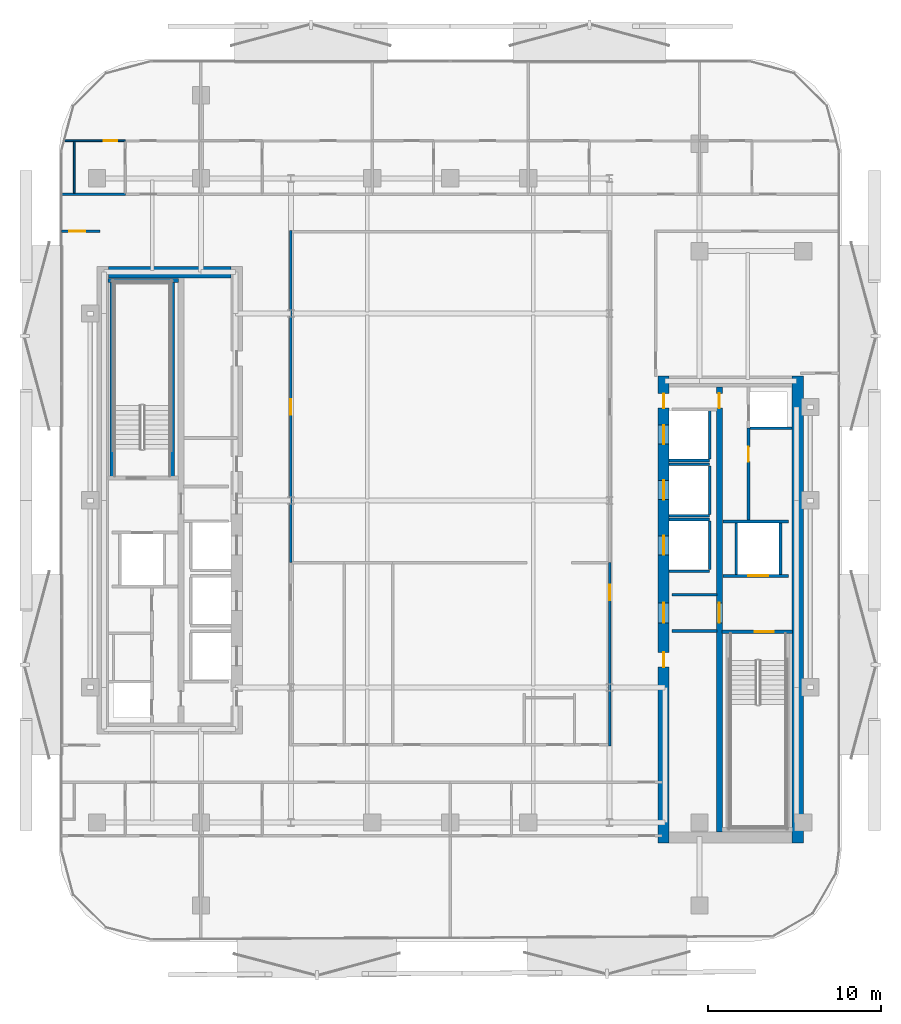
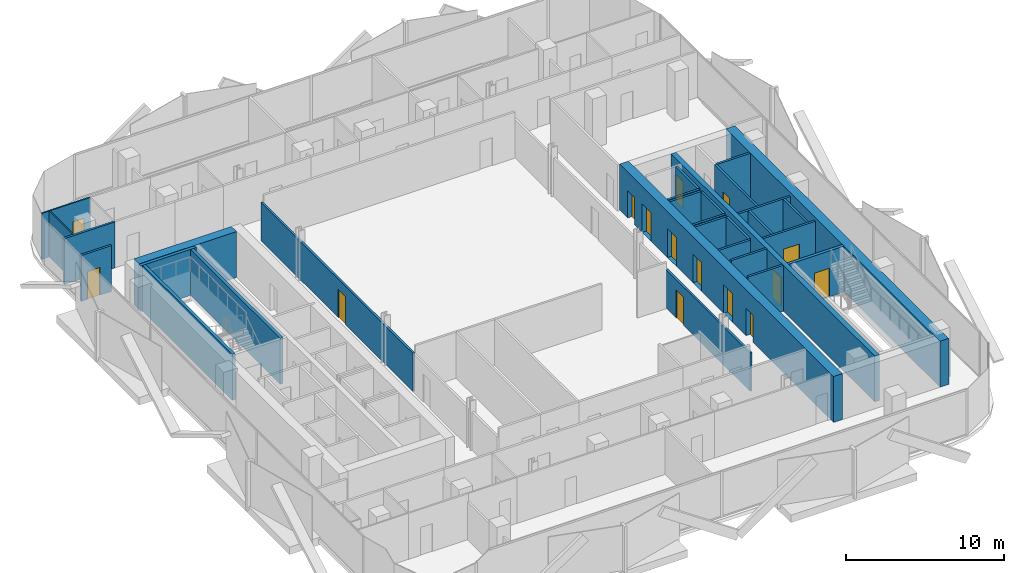
# One storey, part 5 of 17: 30 walls, 15 doors, 15 openings.
"""IFC4 building model written with IfcOpenShell, lengths in metres."""

from ifc_helpers import new_model, si_unit, direction, frame, frame_2d, origin, place, context, subcontext, project, spatial, rectangle, extrude, material, layer, layer_set, type_object, element, fill, save


model = new_model("IFC4")

# Units and contexts
model_context = context("Model", 3, precision=1e-05, world=origin(), true_north=direction((0.0, 1.0)))
body_context = subcontext(model_context, "Body", "Model", "MODEL_VIEW")
ifc_project = project(units=[si_unit("LENGTHUNIT", "METRE"), si_unit("AREAUNIT", "SQUARE_METRE"), si_unit("VOLUMEUNIT", "CUBIC_METRE"), si_unit("PLANEANGLEUNIT", "RADIAN"), si_unit("MASSUNIT", "GRAM", prefix="KILO")], contexts=[model_context])

# Site, building, storey
site_placement = place(None, origin())
site = spatial("IfcSite", under=ifc_project, at=site_placement, CompositionType="ELEMENT")
building_placement = place(site_placement, origin())
building = spatial("IfcBuilding", under=site, at=building_placement, Name="Khairoan Windgate Tower", CompositionType="ELEMENT")
storey_placement = place(building_placement, frame((0.0, 0.0, 172.60009765625)))
storey = spatial("IfcBuildingStorey", under=building, at=storey_placement, Name="L39", CompositionType="ELEMENT", Elevation=172.60009765625)

# Wall, opening, door
ifc_material_1 = material(Name="Moisture-Resistant Gypsum Partition", Category="gypsum")
ifc_layer_1 = layer(ifc_material_1, 0.10009765625, Name="Moisture-Resistant Gypsum Partition")
ifc_layer_set_1 = layer_set([ifc_layer_1], Name="Moisture-Resistant Gypsum Partition")
wall_type_1 = type_object("IfcWallType", Name="Bathroom Wet-Area Partition Wall", PredefinedType="PARTITIONING", material=ifc_layer_set_1)
wall_1_placement = place(storey_placement, frame((-22.300048828125, 20.77001953125, 0.0), z_axis=(0.0, 0.0, 1.0), x_axis=(1.0, 0.0, 0.0)))
wall_1 = element("IfcWall", 1, at=wall_1_placement, inside=storey, type_object=wall_type_1, Name="L39 Interior Partition 049", PredefinedType="PARTITIONING", context=body_context, shape_type="SweptSolid", body=[
    extrude(rectangle(XDim=3.5361328125, YDim=0.10009765625, at=frame_2d((1.76806640625, 0.0))), origin(), (0.0, 0.0, 1.0), 3.539794921875),
])
opening_1_placement = place(wall_1_placement, frame((2.276123046875, 0.0, 0.0)))
opening_1 = element("IfcOpeningElement", 2, at=opening_1_placement, cuts=wall_1, Name="Opening ID-BTH", PredefinedType="OPENING", context=body_context, shape_type="SweptSolid", body=[
    extrude(rectangle(XDim=0.800048828125, YDim=2.10009765625, at=frame_2d((0.39990234375, 1.050048828125))), frame((0.0, 0.06005859375, 0.0), z_axis=(0.0, -1.0, 0.0), x_axis=(1.0, 0.0, 0.0)), (0.0, 0.0, 1.0), 0.1201171875),
])
ifc_material_2 = material(Name="Teak Veneer Timber Leaf", Category="wood")
door_type_1 = type_object("IfcDoorType", Name="Internal Bathroom Door ID-BTH 800x2100", OperationType="NOTDEFINED", PredefinedType="DOOR", material=ifc_material_2)
door_1_placement = place(opening_1_placement, origin())
door_1 = element("IfcDoor", 3, at=door_1_placement, inside=storey, type_object=door_type_1, Name="L39 L39-37-L39-39 Door", OperationType="SINGLE_SWING_RIGHT", OverallHeight=2.10009765625, OverallWidth=0.800048828125, PredefinedType="DOOR", context=body_context, shape_type="SweptSolid", body=[
    extrude(rectangle(XDim=0.800048828125, YDim=2.10009765625, at=frame_2d((0.39990234375, 1.050048828125))), frame((0.0, 0.02490234375, 0.0), z_axis=(0.0, -1.0, 0.0), x_axis=(1.0, 0.0, 0.0)), (0.0, 0.0, 1.0), 0.050048828125),
])
fill(opening_1, door_1)

# Walls
wall_2_placement = place(storey_placement, frame((-21.719970703125, 17.7548828125, 0.0), z_axis=(0.0, 0.0, 1.0), x_axis=(0.0, 1.0, 0.0)))
element("IfcWall", 4, at=wall_2_placement, inside=storey, type_object=wall_type_1, Name="L39 Wet Room Side Wall 087", PredefinedType="PARTITIONING", context=body_context, shape_type="SweptSolid", body=[
    extrude(rectangle(XDim=2.965087890625, YDim=0.10009765625, at=frame_2d((1.482421875, 0.0))), origin(), (0.0, 0.0, 1.0), 3.539794921875),
])
ifc_material_3 = material(Name="Concrete C40/50", Category="concrete")
ifc_layer_2 = layer(ifc_material_3, 0.159912109375, Name="Concrete C40/50")
ifc_layer_set_2 = layer_set([ifc_layer_2], Name="Concrete C40/50")
wall_type_2 = type_object("IfcWallType", Name="Core and Hoistway Enclosure Wall", PredefinedType="STANDARD", material=ifc_layer_set_2)
wall_3_placement = place(storey_placement, frame((12.64990234375, 2.31005859375, 0.0), z_axis=(0.0, 0.0, 1.0), x_axis=(1.0, 0.0, 0.0)))
element("IfcWall", 5, at=wall_3_placement, inside=storey, type_object=wall_type_2, Name="L39 Lift PL7 Hoistway Divider S", PredefinedType="STANDARD", context=body_context, shape_type="SweptSolid", body=[
    extrude(rectangle(XDim=2.340087890625, YDim=0.159912109375, at=frame_2d((1.169921875, 0.0))), origin(), (0.0, 0.0, 1.0), 3.539794921875),
])
wall_4_placement = place(storey_placement, frame((14.989990234375, 2.39990234375, 0.0), z_axis=(0.0, 0.0, 1.0), x_axis=(0.0, 1.0, 0.0)))
element("IfcWall", 6, at=wall_4_placement, inside=storey, type_object=wall_type_2, Name="L39 Lift PL7 Hoistway Back Wall", PredefinedType="STANDARD", context=body_context, shape_type="SweptSolid", body=[
    extrude(rectangle(XDim=2.800048828125, YDim=0.159912109375, at=frame_2d((1.39990234375, 0.0))), origin(), (0.0, 0.0, 1.0), 3.539794921875),
])
for number, where, z_axis, x_axis, name in (
    (7, (12.64990234375, -0.889892578125, 0.0), (0.0, 0.0, 1.0), (1.0, 0.0, 0.0), "L39 Lift PL8 Hoistway Divider S"),
    (8, (12.64990234375, 2.090087890625, 0.0), (0.0, 0.0, 1.0), (1.0, 0.0, 0.0), "L39 Lift PL8 Hoistway Divider N"),
):
    element("IfcWall", number, at=place(storey_placement, frame(where, z_axis=z_axis, x_axis=x_axis)), inside=storey, type_object=wall_type_2, Name=name, PredefinedType="STANDARD", context=body_context, shape_type="SweptSolid", body=[
        extrude(rectangle(XDim=2.340087890625, YDim=0.159912109375, at=frame_2d((1.169921875, 0.0))), origin(), (0.0, 0.0, 1.0), 3.539794921875),
    ])
wall_5_placement = place(storey_placement, frame((14.989990234375, -0.800048828125, 0.0), z_axis=(0.0, 0.0, 1.0), x_axis=(0.0, 1.0, 0.0)))
element("IfcWall", 9, at=wall_5_placement, inside=storey, type_object=wall_type_2, Name="L39 Lift PL8 Hoistway Back Wall", PredefinedType="STANDARD", context=body_context, shape_type="SweptSolid", body=[
    extrude(rectangle(XDim=2.800048828125, YDim=0.159912109375, at=frame_2d((1.39990234375, 0.0))), origin(), (0.0, 0.0, 1.0), 3.539794921875),
])
for number, where, z_axis, x_axis, name in (
    (10, (12.64990234375, -4.090087890625, 0.0), (0.0, 0.0, 1.0), (1.0, 0.0, 0.0), "L39 Lift PL9 Hoistway Divider S"),
    (11, (12.64990234375, -1.110107421875, 0.0), (0.0, 0.0, 1.0), (1.0, 0.0, 0.0), "L39 Lift PL9 Hoistway Divider N"),
):
    element("IfcWall", number, at=place(storey_placement, frame(where, z_axis=z_axis, x_axis=x_axis)), inside=storey, type_object=wall_type_2, Name=name, PredefinedType="STANDARD", context=body_context, shape_type="SweptSolid", body=[
        extrude(rectangle(XDim=2.340087890625, YDim=0.159912109375, at=frame_2d((1.169921875, 0.0))), origin(), (0.0, 0.0, 1.0), 3.539794921875),
    ])
wall_6_placement = place(storey_placement, frame((14.989990234375, -4.0, 0.0), z_axis=(0.0, 0.0, 1.0), x_axis=(0.0, 1.0, 0.0)))
element("IfcWall", 12, at=wall_6_placement, inside=storey, type_object=wall_type_2, Name="L39 Lift PL9 Hoistway Back Wall", PredefinedType="STANDARD", context=body_context, shape_type="SweptSolid", body=[
    extrude(rectangle(XDim=2.800048828125, YDim=0.159912109375, at=frame_2d((1.39990234375, 0.0))), origin(), (0.0, 0.0, 1.0), 3.539794921875),
])

# Wall, opening, door
wall_7_placement = place(storey_placement, frame((15.75, -4.360107421875, 0.0), z_axis=(0.0, 0.0, 1.0), x_axis=(1.0, 0.0, 0.0)))
wall_7 = element("IfcWall", 13, at=wall_7_placement, inside=storey, type_object=wall_type_2, Name="L39 Core Shaft Wall SW-FL1-L39", PredefinedType="STANDARD", context=body_context, shape_type="SweptSolid", body=[
    extrude(rectangle(XDim=3.800048828125, YDim=0.159912109375, at=frame_2d((1.89990234375, 0.0))), origin(), (0.0, 0.0, 1.0), 3.539794921875),
])
opening_2_placement = place(wall_7_placement, frame((1.469970703125, 0.0, 0.0)))
opening_2 = element("IfcOpeningElement", 14, at=opening_2_placement, cuts=wall_7, Name="Opening LD-FL", PredefinedType="OPENING", context=body_context, shape_type="SweptSolid", body=[
    extrude(rectangle(XDim=1.14990234375, YDim=2.199951171875, at=frame_2d((0.574951171875, 1.10009765625))), frame((0.0, 0.08984375, 0.0), z_axis=(0.0, -1.0, 0.0), x_axis=(1.0, 0.0, 0.0)), (0.0, 0.0, 1.0), 0.179931640625),
])
ifc_material_4 = material(Name="Steel S355", Category="steel")
door_type_2 = type_object("IfcDoorType", Name="Firefighting Lift Sliding Landing Door LD-FL 1150x2200", OperationType="DOUBLE_DOOR_SLIDING", PredefinedType="DOOR", material=ifc_material_4)
door_2_placement = place(opening_2_placement, origin())
door_2 = element("IfcDoor", 15, at=door_2_placement, inside=storey, type_object=door_type_2, Name="L39 Firefighting Lift FL1 Landing Door", OperationType="DOUBLE_DOOR_SLIDING", OverallHeight=2.199951171875, OverallWidth=1.14990234375, PredefinedType="DOOR", context=body_context, shape_type="SweptSolid", body=[
    extrude(rectangle(XDim=1.14990234375, YDim=2.199951171875, at=frame_2d((0.574951171875, 1.10009765625))), frame((0.0, 0.02490234375, 0.0), z_axis=(0.0, -1.0, 0.0), x_axis=(1.0, 0.0, 0.0)), (0.0, 0.0, 1.0), 0.050048828125),
])
fill(opening_2, door_2)

# Walls
wall_8_placement = place(storey_placement, frame((15.75, -1.219970703125, 0.0), z_axis=(0.0, 0.0, 1.0), x_axis=(1.0, 0.0, 0.0)))
element("IfcWall", 16, at=wall_8_placement, inside=storey, type_object=wall_type_2, Name="L39 Core Shaft Wall SW-FL1T-L39", PredefinedType="STANDARD", context=body_context, shape_type="SweptSolid", body=[
    extrude(rectangle(XDim=3.800048828125, YDim=0.159912109375, at=frame_2d((1.89990234375, 0.0))), origin(), (0.0, 0.0, 1.0), 3.539794921875),
])
for number, where, z_axis, x_axis, name in (
    (17, (16.52001953125, -4.280029296875, 0.0), (0.0, 0.0, 1.0), (0.0, 1.0, 0.0), "L39 Core Shaft Wall SW-FL1W-L39"),
    (18, (19.080078125, -4.280029296875, 0.0), (0.0, 0.0, 1.0), (0.0, 1.0, 0.0), "L39 Core Shaft Wall SW-FL1E-L39"),
):
    element("IfcWall", number, at=place(storey_placement, frame(where, z_axis=z_axis, x_axis=x_axis)), inside=storey, type_object=wall_type_2, Name=name, PredefinedType="STANDARD", context=body_context, shape_type="SweptSolid", body=[
        extrude(rectangle(XDim=2.97998046875, YDim=0.159912109375, at=frame_2d((1.489990234375, 0.0))), origin(), (0.0, 0.0, 1.0), 3.539794921875),
    ])
for number, where, z_axis, x_axis, name in (
    (19, (12.800048828125, -5.449951171875, 0.0), (0.0, 0.0, 1.0), (1.0, 0.0, 0.0), "L39 Core Shaft Wall SW-EV1-L39"),
    (20, (12.800048828125, -7.5400390625, 0.0), (0.0, 0.0, 1.0), (1.0, 0.0, 0.0), "L39 Core Shaft Wall SW-EV2-L39"),
):
    element("IfcWall", number, at=place(storey_placement, frame(where, z_axis=z_axis, x_axis=x_axis)), inside=storey, type_object=wall_type_2, Name=name, PredefinedType="STANDARD", context=body_context, shape_type="SweptSolid", body=[
        extrude(rectangle(XDim=2.599853515625, YDim=0.159912109375, at=frame_2d((1.2998046875, 0.0))), origin(), (0.0, 0.0, 1.0), 3.539794921875),
    ])

# Wall, opening, door
ifc_material_5 = material(Name="Concrete C40/50", Category="concrete")
ifc_layer_3 = layer(ifc_material_5, 0.159912109375, Name="Concrete C40/50")
ifc_layer_set_3 = layer_set([ifc_layer_3], Name="Concrete C40/50")
wall_type_3 = type_object("IfcWallType", Name="Plant and Refuge Compartment Wall", PredefinedType="PARTITIONING", material=ifc_layer_set_3)
wall_9_placement = place(storey_placement, frame((17.22998046875, -1.139892578125, 0.0), z_axis=(0.0, 0.0, 1.0), x_axis=(0.0, 1.0, 0.0)))
wall_9 = element("IfcWall", 21, at=wall_9_placement, inside=storey, type_object=wall_type_3, Name="L39 Interior Partition 008", PredefinedType="PARTITIONING", context=body_context, shape_type="SweptSolid", body=[
    extrude(rectangle(XDim=5.309814453125, YDim=0.159912109375, at=frame_2d((2.65478515625, 0.0))), origin(), (0.0, 0.0, 1.0), 3.539794921875),
])
opening_3_placement = place(wall_9_placement, frame((3.375244140625, 0.0, 0.0)))
opening_3 = element("IfcOpeningElement", 22, at=opening_3_placement, cuts=wall_9, Name="Opening FD-SRV", PredefinedType="OPENING", context=body_context, shape_type="SweptSolid", body=[
    extrude(rectangle(XDim=0.85009765625, YDim=2.10009765625, at=frame_2d((0.425048828125, 1.050048828125))), frame((0.0, 0.08984375, 0.0), z_axis=(0.0, -1.0, 0.0), x_axis=(1.0, 0.0, 0.0)), (0.0, 0.0, 1.0), 0.179931640625),
])
ifc_material_6 = material(Name="Steel S355", Category="steel")
door_type_3 = type_object("IfcDoorType", Name="Core Service and Riser Fire Door FD-SRV 850x2100", OperationType="NOTDEFINED", PredefinedType="DOOR", material=ifc_material_6)
door_3_placement = place(opening_3_placement, origin())
door_3 = element("IfcDoor", 23, at=door_3_placement, inside=storey, type_object=door_type_3, Name="L39 L39-18-L39-20 Door", OperationType="SINGLE_SWING_RIGHT", OverallHeight=2.10009765625, OverallWidth=0.85009765625, PredefinedType="DOOR", context=body_context, shape_type="SweptSolid", body=[
    extrude(rectangle(XDim=0.85009765625, YDim=2.10009765625, at=frame_2d((0.425048828125, 1.050048828125))), frame((0.0, 0.02490234375, 0.0), z_axis=(0.0, -1.0, 0.0), x_axis=(1.0, 0.0, 0.0)), (0.0, 0.0, 1.0), 0.050048828125),
])
fill(opening_3, door_3)

# Wall
wall_10_placement = place(storey_placement, frame((17.31005859375, 4.169921875, 0.0), z_axis=(0.0, 0.0, 1.0), x_axis=(1.0, 0.0, 0.0)))
element("IfcWall", 24, at=wall_10_placement, inside=storey, type_object=wall_type_3, Name="L39 Interior Partition 009", PredefinedType="PARTITIONING", context=body_context, shape_type="SweptSolid", body=[
    extrude(rectangle(XDim=2.43994140625, YDim=0.159912109375, at=frame_2d((1.219970703125, 0.0))), origin(), (0.0, 0.0, 1.0), 3.539794921875),
])

# Wall, opening, door
ifc_material_7 = material(Name="Acoustic Fire-Rated Gypsum Partition", Category="gypsum")
ifc_layer_4 = layer(ifc_material_7, 0.14990234375, Name="Acoustic Fire-Rated Gypsum Partition")
ifc_layer_set_4 = layer_set([ifc_layer_4], Name="Acoustic Fire-Rated Gypsum Partition")
wall_type_4 = type_object("IfcWallType", Name="Rated Corridor Partition Wall", PredefinedType="PARTITIONING", material=ifc_layer_set_4)
wall_11_placement = place(storey_placement, frame((-9.219970703125, -3.60009765625, 0.0), z_axis=(0.0, 0.0, 1.0), x_axis=(0.0, 1.0, 0.0)))
wall_11 = element("IfcWall", 25, at=wall_11_placement, inside=storey, type_object=wall_type_4, Name="L39 Interior Partition 011", PredefinedType="PARTITIONING", context=body_context, shape_type="SweptSolid", body=[
    extrude(rectangle(XDim=19.195068359375, YDim=0.14990234375, at=frame_2d((9.59765625, 0.0))), origin(), (0.0, 0.0, 1.0), 2.951904296875),
])
opening_4_placement = place(wall_11_placement, frame((8.54150390625, 0.0, 0.0)))
opening_4 = element("IfcOpeningElement", 26, at=opening_4_placement, cuts=wall_11, Name="Opening FD-ENT", PredefinedType="OPENING", context=body_context, shape_type="SweptSolid", body=[
    extrude(rectangle(XDim=0.89990234375, YDim=2.14990234375, at=frame_2d((0.449951171875, 1.074951171875))), frame((0.0, 0.0849609375, 0.0), z_axis=(0.0, -1.0, 0.0), x_axis=(1.0, 0.0, 0.0)), (0.0, 0.0, 1.0), 0.169921875),
])
ifc_material_8 = material(Name="Timber Fire-Rated Core", Category="wood")
door_type_4 = type_object("IfcDoorType", Name="Unit and Office Fire Entrance Door FD-ENT 900x2150", OperationType="NOTDEFINED", PredefinedType="DOOR", material=ifc_material_8)
door_4_placement = place(opening_4_placement, origin())
door_4 = element("IfcDoor", 27, at=door_4_placement, inside=storey, type_object=door_type_4, Name="L39 L39-27-L39-36 Door", OperationType="SINGLE_SWING_RIGHT", OverallHeight=2.14990234375, OverallWidth=0.89990234375, PredefinedType="DOOR", context=body_context, shape_type="SweptSolid", body=[
    extrude(rectangle(XDim=0.89990234375, YDim=2.14990234375, at=frame_2d((0.449951171875, 1.074951171875))), frame((0.0, 0.02490234375, 0.0), z_axis=(0.0, -1.0, 0.0), x_axis=(1.0, 0.0, 0.0)), (0.0, 0.0, 1.0), 0.050048828125),
])
fill(opening_4, door_4)

wall_12_placement = place(storey_placement, frame((9.219970703125, -14.195068359375, 0.0), z_axis=(0.0, 0.0, 1.0), x_axis=(0.0, 1.0, 0.0)))
wall_12 = element("IfcWall", 28, at=wall_12_placement, inside=storey, type_object=wall_type_4, Name="L39 Interior Partition 012", PredefinedType="PARTITIONING", context=body_context, shape_type="SweptSolid", body=[
    extrude(rectangle(XDim=10.594970703125, YDim=0.14990234375, at=frame_2d((5.29736328125, 0.0))), origin(), (0.0, 0.0, 1.0), 2.951904296875),
])
opening_5_placement = place(wall_12_placement, frame((8.418701171875, 0.0, 0.0)))
opening_5 = element("IfcOpeningElement", 29, at=opening_5_placement, cuts=wall_12, Name="Opening FD-ENT", PredefinedType="OPENING", context=body_context, shape_type="SweptSolid", body=[
    extrude(rectangle(XDim=0.89990234375, YDim=2.14990234375, at=frame_2d((0.449951171875, 1.074951171875))), frame((0.0, 0.0849609375, 0.0), z_axis=(0.0, -1.0, 0.0), x_axis=(1.0, 0.0, 0.0)), (0.0, 0.0, 1.0), 0.169921875),
])
door_5_placement = place(opening_5_placement, origin())
door_5 = element("IfcDoor", 30, at=door_5_placement, inside=storey, type_object=door_type_4, Name="L39 L39-28-L39-35 Door", OperationType="SINGLE_SWING_LEFT", OverallHeight=2.14990234375, OverallWidth=0.89990234375, PredefinedType="DOOR", context=body_context, shape_type="SweptSolid", body=[
    extrude(rectangle(XDim=0.89990234375, YDim=2.14990234375, at=frame_2d((0.449951171875, 1.074951171875))), frame((0.0, 0.02490234375, 0.0), z_axis=(0.0, -1.0, 0.0), x_axis=(1.0, 0.0, 0.0)), (0.0, 0.0, 1.0), 0.050048828125),
])
fill(opening_5, door_5)

# Wall
wall_13_placement = place(storey_placement, frame((-22.455078125, 17.679931640625, 0.0), z_axis=(0.0, 0.0, 1.0), x_axis=(1.0, 0.0, 0.0)))
element("IfcWall", 31, at=wall_13_placement, inside=storey, type_object=wall_type_4, Name="L39 Interior Partition 016", PredefinedType="PARTITIONING", context=body_context, shape_type="SweptSolid", body=[
    extrude(rectangle(XDim=3.691162109375, YDim=0.14990234375, at=frame_2d((1.845703125, 0.0))), origin(), (0.0, 0.0, 1.0), 3.539794921875),
])

# Wall, opening, door
wall_14_placement = place(storey_placement, frame((-22.455078125, 15.5400390625, 0.0), z_axis=(0.0, 0.0, 1.0), x_axis=(1.0, 0.0, 0.0)))
wall_14 = element("IfcWall", 32, at=wall_14_placement, inside=storey, type_object=wall_type_4, Name="L39 Interior Partition 027", PredefinedType="PARTITIONING", context=body_context, shape_type="SweptSolid", body=[
    extrude(rectangle(XDim=2.215087890625, YDim=0.14990234375, at=frame_2d((1.107421875, 0.0))), origin(), (0.0, 0.0, 1.0), 3.539794921875),
])
opening_6_placement = place(wall_14_placement, frame((0.4599609375, 0.0, 0.0)))
opening_6 = element("IfcOpeningElement", 33, at=opening_6_placement, cuts=wall_14, Name="Opening FD-ENT", PredefinedType="OPENING", context=body_context, shape_type="SweptSolid", body=[
    extrude(rectangle(XDim=0.89990234375, YDim=2.14990234375, at=frame_2d((0.449951171875, 1.074951171875))), frame((0.0, 0.0849609375, 0.0), z_axis=(0.0, -1.0, 0.0), x_axis=(1.0, 0.0, 0.0)), (0.0, 0.0, 1.0), 0.169921875),
])
door_6_placement = place(opening_6_placement, origin())
door_6 = element("IfcDoor", 34, at=door_6_placement, inside=storey, type_object=door_type_4, Name="L39 L39-29-L39-62 Door", OperationType="SINGLE_SWING_LEFT", OverallHeight=2.14990234375, OverallWidth=0.89990234375, PredefinedType="DOOR", context=body_context, shape_type="SweptSolid", body=[
    extrude(rectangle(XDim=0.89990234375, YDim=2.14990234375, at=frame_2d((0.449951171875, 1.074951171875))), frame((0.0, 0.02490234375, 0.0), z_axis=(0.0, -1.0, 0.0), x_axis=(1.0, 0.0, 0.0)), (0.0, 0.0, 1.0), 0.050048828125),
])
fill(opening_6, door_6)

# Wall, openings, doors
ifc_material_9 = material(Name="Concrete C60/75", Category="concrete")
ifc_layer_5 = layer(ifc_material_9, 0.64990234375, Name="Concrete C60/75")
ifc_layer_set_5 = layer_set([ifc_layer_5], Name="Concrete C60/75")
wall_type_5 = type_object("IfcWallType", Name="Shear Wall CW-E2 650mm", PredefinedType="SHEAR", material=ifc_layer_set_5)
wall_15_placement = place(storey_placement, frame((12.324951171875, -19.800048828125, 0.0), z_axis=(0.0, 0.0, 1.0), x_axis=(0.0, 1.0, 0.0)))
wall_15 = element("IfcWall", 35, at=wall_15_placement, inside=storey, type_object=wall_type_5, Name="E Core West Shear Wall L39", PredefinedType="SHEAR", context=body_context, shape_type="SweptSolid", body=[
    extrude(rectangle(XDim=27.0, YDim=0.64990234375, at=frame_2d((13.5, 0.0))), origin(), (0.0, 0.0, 1.0), 3.539794921875),
])
opening_7_placement = place(wall_15_placement, frame((23.050048828125, 0.0, 0.0)))
opening_7 = element("IfcOpeningElement", 36, at=opening_7_placement, cuts=wall_15, Name="Opening LD-PL", PredefinedType="OPENING", context=body_context, shape_type="SweptSolid", body=[
    extrude(rectangle(XDim=1.10009765625, YDim=2.199951171875, at=frame_2d((0.550048828125, 1.10009765625))), frame((0.0, 0.3349609375, 0.0), z_axis=(0.0, -1.0, 0.0), x_axis=(1.0, 0.0, 0.0)), (0.0, 0.0, 1.0), 0.669921875),
])
opening_8_placement = place(wall_15_placement, frame((19.85009765625, 0.0, 0.0)))
opening_8 = element("IfcOpeningElement", 37, at=opening_8_placement, cuts=wall_15, Name="Opening LD-PL", PredefinedType="OPENING", context=body_context, shape_type="SweptSolid", body=[
    extrude(rectangle(XDim=1.10009765625, YDim=2.199951171875, at=frame_2d((0.550048828125, 1.10009765625))), frame((0.0, 0.3349609375, 0.0), z_axis=(0.0, -1.0, 0.0), x_axis=(1.0, 0.0, 0.0)), (0.0, 0.0, 1.0), 0.669921875),
])
opening_9_placement = place(wall_15_placement, frame((16.64990234375, 0.0, 0.0)))
opening_9 = element("IfcOpeningElement", 38, at=opening_9_placement, cuts=wall_15, Name="Opening LD-PL", PredefinedType="OPENING", context=body_context, shape_type="SweptSolid", body=[
    extrude(rectangle(XDim=1.10009765625, YDim=2.199951171875, at=frame_2d((0.550048828125, 1.10009765625))), frame((0.0, 0.3349609375, 0.0), z_axis=(0.0, -1.0, 0.0), x_axis=(1.0, 0.0, 0.0)), (0.0, 0.0, 1.0), 0.669921875),
])
opening_10_placement = place(wall_15_placement, frame((10.175048828125, 0.0, 0.0)))
opening_10 = element("IfcOpeningElement", 39, at=opening_10_placement, cuts=wall_15, Name="Opening FD-SRV", PredefinedType="OPENING", context=body_context, shape_type="SweptSolid", body=[
    extrude(rectangle(XDim=0.85009765625, YDim=2.10009765625, at=frame_2d((0.425048828125, 1.050048828125))), frame((0.0, 0.3349609375, 0.0), z_axis=(0.0, -1.0, 0.0), x_axis=(1.0, 0.0, 0.0)), (0.0, 0.0, 1.0), 0.669921875),
])
opening_11_placement = place(wall_15_placement, frame((12.72509765625, 0.0, 0.0)))
opening_11 = element("IfcOpeningElement", 40, at=opening_11_placement, cuts=wall_15, Name="Opening FD-FFL", PredefinedType="OPENING", context=body_context, shape_type="SweptSolid", body=[
    extrude(rectangle(XDim=1.14990234375, YDim=2.199951171875, at=frame_2d((0.574951171875, 1.10009765625))), frame((0.0, 0.3349609375, 0.0), z_axis=(0.0, -1.0, 0.0), x_axis=(1.0, 0.0, 0.0)), (0.0, 0.0, 1.0), 0.669921875),
])
opening_12_placement = place(wall_15_placement, frame((25.125, 0.0, 0.0)))
opening_12 = element("IfcOpeningElement", 41, at=opening_12_placement, cuts=wall_15, Name="Opening FD-SRV", PredefinedType="OPENING", context=body_context, shape_type="SweptSolid", body=[
    extrude(rectangle(XDim=0.85009765625, YDim=2.10009765625, at=frame_2d((0.425048828125, 1.050048828125))), frame((0.0, 0.3349609375, 0.0), z_axis=(0.0, -1.0, 0.0), x_axis=(1.0, 0.0, 0.0)), (0.0, 0.0, 1.0), 0.669921875),
])
door_7_placement = place(opening_10_placement, origin())
door_7 = element("IfcDoor", 42, at=door_7_placement, inside=storey, type_object=door_type_3, Name="L39 East Core Service Room Door 1", OperationType="SINGLE_SWING_LEFT", OverallHeight=2.10009765625, OverallWidth=0.85009765625, PredefinedType="DOOR", context=body_context, shape_type="SweptSolid", body=[
    extrude(rectangle(XDim=0.85009765625, YDim=2.10009765625, at=frame_2d((0.425048828125, 1.050048828125))), frame((0.0, 0.02490234375, 0.0), z_axis=(0.0, -1.0, 0.0), x_axis=(1.0, 0.0, 0.0)), (0.0, 0.0, 1.0), 0.050048828125),
])
fill(opening_10, door_7)
door_8_placement = place(opening_12_placement, origin())
door_8 = element("IfcDoor", 43, at=door_8_placement, inside=storey, type_object=door_type_3, Name="L39 East Core Service Vestibule Outer Door", OperationType="SINGLE_SWING_RIGHT", OverallHeight=2.10009765625, OverallWidth=0.85009765625, PredefinedType="DOOR", context=body_context, shape_type="SweptSolid", body=[
    extrude(rectangle(XDim=0.85009765625, YDim=2.10009765625, at=frame_2d((0.425048828125, 1.050048828125))), frame((0.0, 0.02490234375, 0.0), z_axis=(0.0, -1.0, 0.0), x_axis=(1.0, 0.0, 0.0)), (0.0, 0.0, 1.0), 0.050048828125),
])
fill(opening_12, door_8)
ifc_material_10 = material(Name="Steel S355", Category="steel")
door_type_5 = type_object("IfcDoorType", Name="Firefighting Lobby Fire Door FD-FFL 1150x2200", OperationType="NOTDEFINED", PredefinedType="DOOR", material=ifc_material_10)
door_9_placement = place(opening_11_placement, origin())
door_9 = element("IfcDoor", 44, at=door_9_placement, inside=storey, type_object=door_type_5, Name="L39 East Core Vestibule Entry Door", OperationType="SINGLE_SWING_RIGHT", OverallHeight=2.199951171875, OverallWidth=1.14990234375, PredefinedType="DOOR", context=body_context, shape_type="SweptSolid", body=[
    extrude(rectangle(XDim=1.14990234375, YDim=2.199951171875, at=frame_2d((0.574951171875, 1.10009765625))), frame((0.0, 0.02490234375, 0.0), z_axis=(0.0, -1.0, 0.0), x_axis=(1.0, 0.0, 0.0)), (0.0, 0.0, 1.0), 0.050048828125),
])
fill(opening_11, door_9)
ifc_material_11 = material(Name="Anodised Bronze Aluminium 6063-T6", Category="aluminium")
door_type_6 = type_object("IfcDoorType", Name="Passenger Lift Sliding Landing Door LD-PL 1100x2200", OperationType="DOUBLE_DOOR_SLIDING", PredefinedType="DOOR", material=ifc_material_11)
door_10_placement = place(opening_7_placement, origin())
door_10 = element("IfcDoor", 45, at=door_10_placement, inside=storey, type_object=door_type_6, Name="L39 Lift PL7 Sliding Landing Door", OperationType="DOUBLE_DOOR_SLIDING", OverallHeight=2.199951171875, OverallWidth=1.10009765625, PredefinedType="DOOR", context=body_context, shape_type="SweptSolid", body=[
    extrude(rectangle(XDim=1.10009765625, YDim=2.199951171875, at=frame_2d((0.550048828125, 1.10009765625))), frame((0.0, 0.02490234375, 0.0), z_axis=(0.0, -1.0, 0.0), x_axis=(1.0, 0.0, 0.0)), (0.0, 0.0, 1.0), 0.050048828125),
])
fill(opening_7, door_10)
door_11_placement = place(opening_8_placement, origin())
door_11 = element("IfcDoor", 46, at=door_11_placement, inside=storey, type_object=door_type_6, Name="L39 Lift PL8 Sliding Landing Door", OperationType="DOUBLE_DOOR_SLIDING", OverallHeight=2.199951171875, OverallWidth=1.10009765625, PredefinedType="DOOR", context=body_context, shape_type="SweptSolid", body=[
    extrude(rectangle(XDim=1.10009765625, YDim=2.199951171875, at=frame_2d((0.550048828125, 1.10009765625))), frame((0.0, 0.02490234375, 0.0), z_axis=(0.0, -1.0, 0.0), x_axis=(1.0, 0.0, 0.0)), (0.0, 0.0, 1.0), 0.050048828125),
])
fill(opening_8, door_11)
door_12_placement = place(opening_9_placement, origin())
door_12 = element("IfcDoor", 47, at=door_12_placement, inside=storey, type_object=door_type_6, Name="L39 Lift PL9 Sliding Landing Door", OperationType="DOUBLE_DOOR_SLIDING", OverallHeight=2.199951171875, OverallWidth=1.10009765625, PredefinedType="DOOR", context=body_context, shape_type="SweptSolid", body=[
    extrude(rectangle(XDim=1.10009765625, YDim=2.199951171875, at=frame_2d((0.550048828125, 1.10009765625))), frame((0.0, 0.02490234375, 0.0), z_axis=(0.0, -1.0, 0.0), x_axis=(1.0, 0.0, 0.0)), (0.0, 0.0, 1.0), 0.050048828125),
])
fill(opening_9, door_12)

# Walls
wall_16_placement = place(storey_placement, frame((20.074951171875, -19.800048828125, 0.0), z_axis=(0.0, 0.0, 1.0), x_axis=(0.0, 1.0, 0.0)))
element("IfcWall", 48, at=wall_16_placement, inside=storey, type_object=wall_type_5, Name="E Core East Shear Wall L39", PredefinedType="SHEAR", context=body_context, shape_type="SweptSolid", body=[
    extrude(rectangle(XDim=27.0, YDim=0.64990234375, at=frame_2d((13.5, 0.0))), origin(), (0.0, 0.0, 1.0), 3.539794921875),
])
ifc_material_12 = material(Name="Concrete C60/75", Category="concrete")
ifc_layer_6 = layer(ifc_material_12, 0.64990234375, Name="Concrete C60/75")
ifc_layer_set_6 = layer_set([ifc_layer_6], Name="Concrete C60/75")
wall_type_6 = type_object("IfcWallType", Name="Shear Wall CW-W2 650mm", PredefinedType="SHEAR", material=ifc_layer_set_6)
wall_17_placement = place(storey_placement, frame((-19.75, 13.175048828125, 0.0), z_axis=(0.0, 0.0, 1.0), x_axis=(1.0, 0.0, 0.0)))
element("IfcWall", 49, at=wall_17_placement, inside=storey, type_object=wall_type_6, Name="W Core North Shear Wall L39", PredefinedType="SHEAR", context=body_context, shape_type="SweptSolid", body=[
    extrude(rectangle(XDim=7.10009765625, YDim=0.64990234375, at=frame_2d((3.550048828125, 0.0))), origin(), (0.0, 0.0, 1.0), 3.539794921875),
])

# Wall, openings, doors
ifc_material_13 = material(Name="Concrete C60/75", Category="concrete")
ifc_layer_7 = layer(ifc_material_13, 0.35009765625, Name="Concrete C60/75")
ifc_layer_set_7 = layer_set([ifc_layer_7], Name="Concrete C60/75")
wall_type_7 = type_object("IfcWallType", Name="Shear Wall SW-1 350mm", PredefinedType="SHEAR", material=ifc_layer_set_7)
wall_18_placement = place(storey_placement, frame((15.550048828125, -19.14990234375, 0.0), z_axis=(0.0, 0.0, 1.0), x_axis=(0.0, 1.0, 0.0)))
wall_18 = element("IfcWall", 50, at=wall_18_placement, inside=storey, type_object=wall_type_7, Name="E Core Spine Shear Wall L39", PredefinedType="SHEAR", context=body_context, shape_type="SweptSolid", body=[
    extrude(rectangle(XDim=25.699951171875, YDim=0.35009765625, at=frame_2d((12.85009765625, 0.0))), origin(), (0.0, 0.0, 1.0), 3.539794921875),
])
opening_13_placement = place(wall_18_placement, frame((12.074951171875, 0.0, 0.0)))
opening_13 = element("IfcOpeningElement", 51, at=opening_13_placement, cuts=wall_18, Name="Opening FD-FFL", PredefinedType="OPENING", context=body_context, shape_type="SweptSolid", body=[
    extrude(rectangle(XDim=1.14990234375, YDim=2.199951171875, at=frame_2d((0.574951171875, 1.10009765625))), frame((0.0, 0.18505859375, 0.0), z_axis=(0.0, -1.0, 0.0), x_axis=(1.0, 0.0, 0.0)), (0.0, 0.0, 1.0), 0.3701171875),
])
opening_14_placement = place(wall_18_placement, frame((24.47509765625, 0.0, 0.0)))
opening_14 = element("IfcOpeningElement", 52, at=opening_14_placement, cuts=wall_18, Name="Opening FD-SRV", PredefinedType="OPENING", context=body_context, shape_type="SweptSolid", body=[
    extrude(rectangle(XDim=0.85009765625, YDim=2.10009765625, at=frame_2d((0.425048828125, 1.050048828125))), frame((0.0, 0.18505859375, 0.0), z_axis=(0.0, -1.0, 0.0), x_axis=(1.0, 0.0, 0.0)), (0.0, 0.0, 1.0), 0.3701171875),
])
door_13_placement = place(opening_14_placement, origin())
door_13 = element("IfcDoor", 53, at=door_13_placement, inside=storey, type_object=door_type_3, Name="L39 East Core Service Passage Inner Door", OperationType="SINGLE_SWING_LEFT", OverallHeight=2.10009765625, OverallWidth=0.85009765625, PredefinedType="DOOR", context=body_context, shape_type="SweptSolid", body=[
    extrude(rectangle(XDim=0.85009765625, YDim=2.10009765625, at=frame_2d((0.425048828125, 1.050048828125))), frame((0.0, 0.02490234375, 0.0), z_axis=(0.0, -1.0, 0.0), x_axis=(1.0, 0.0, 0.0)), (0.0, 0.0, 1.0), 0.050048828125),
])
fill(opening_14, door_13)
door_14_placement = place(opening_13_placement, origin())
door_14 = element("IfcDoor", 54, at=door_14_placement, inside=storey, type_object=door_type_5, Name="L39 East Firefighting Lobby Fire Door", OperationType="SINGLE_SWING_LEFT", OverallHeight=2.199951171875, OverallWidth=1.14990234375, PredefinedType="DOOR", context=body_context, shape_type="SweptSolid", body=[
    extrude(rectangle(XDim=1.14990234375, YDim=2.199951171875, at=frame_2d((0.574951171875, 1.10009765625))), frame((0.0, 0.02490234375, 0.0), z_axis=(0.0, -1.0, 0.0), x_axis=(1.0, 0.0, 0.0)), (0.0, 0.0, 1.0), 0.050048828125),
])
fill(opening_13, door_14)

# Wall, opening, door
ifc_material_14 = material(Name="Concrete C50/60", Category="concrete")
ifc_layer_8 = layer(ifc_material_14, 0.219970703125, Name="Concrete C50/60")
ifc_layer_set_8 = layer_set([ifc_layer_8], Name="Concrete C50/60")
wall_type_8 = type_object("IfcWallType", Name="Shear Wall SW-ST 220mm", PredefinedType="SHEAR", material=ifc_layer_set_8)
wall_19_placement = place(storey_placement, frame((19.77001953125, -7.590087890625, 0.0), z_axis=(0.0, 0.0, 1.0), x_axis=(-1.0, 0.0, 0.0)))
wall_19 = element("IfcWall", 55, at=wall_19_placement, inside=storey, type_object=wall_type_8, Name="L39 Stair ST1 North Bearing Wall", PredefinedType="SHEAR", context=body_context, shape_type="SweptSolid", body=[
    extrude(rectangle(XDim=4.06494140625, YDim=0.219970703125, at=frame_2d((2.032470703125, 0.0))), origin(), (0.0, 0.0, 1.0), 3.539794921875),
])
opening_15_placement = place(wall_19_placement, frame((1.080078125, 0.0, 0.0)))
opening_15 = element("IfcOpeningElement", 56, at=opening_15_placement, cuts=wall_19, Name="Opening FD-ST", PredefinedType="OPENING", context=body_context, shape_type="SweptSolid", body=[
    extrude(rectangle(XDim=1.10009765625, YDim=2.199951171875, at=frame_2d((0.550048828125, 1.10009765625))), frame((0.0, 0.119873046875, 0.0), z_axis=(0.0, -1.0, 0.0), x_axis=(1.0, 0.0, 0.0)), (0.0, 0.0, 1.0), 0.239990234375),
])
ifc_material_15 = material(Name="Steel S355", Category="steel")
door_type_7 = type_object("IfcDoorType", Name="Smokeproof Stair Fire Door FD-ST 1100x2200", OperationType="NOTDEFINED", PredefinedType="DOOR", material=ifc_material_15)
door_15_placement = place(opening_15_placement, origin())
door_15 = element("IfcDoor", 57, at=door_15_placement, inside=storey, type_object=door_type_7, Name="L39 Stair ST1 Fire Door", OperationType="SINGLE_SWING_LEFT", OverallHeight=2.199951171875, OverallWidth=1.10009765625, PredefinedType="DOOR", context=body_context, shape_type="SweptSolid", body=[
    extrude(rectangle(XDim=1.10009765625, YDim=2.199951171875, at=frame_2d((0.550048828125, 1.10009765625))), frame((0.0, 0.02490234375, 0.0), z_axis=(0.0, -1.0, 0.0), x_axis=(1.0, 0.0, 0.0)), (0.0, 0.0, 1.0), 0.050048828125),
])
fill(opening_15, door_15)

# Walls
for number, where, z_axis, x_axis, name in (
    (58, (-16.0400390625, 1.2900390625, 0.0), (0.0, 0.0, 1.0), (0.0, 1.0, 0.0), "L39 Stair ST2 East Bearing Wall"),
    (59, (-19.530029296875, 1.2900390625, 0.0), (0.0, 0.0, 1.0), (0.0, 1.0, 0.0), "L39 Stair ST2 West Bearing Wall"),
):
    element("IfcWall", number, at=place(storey_placement, frame(where, z_axis=z_axis, x_axis=x_axis)), inside=storey, type_object=wall_type_8, Name=name, PredefinedType="SHEAR", context=body_context, shape_type="SweptSolid", body=[
        extrude(rectangle(XDim=11.419921875, YDim=0.219970703125, at=frame_2d((5.7099609375, 0.0))), origin(), (0.0, 0.0, 1.0), 3.539794921875),
    ])
wall_20_placement = place(storey_placement, frame((-19.77001953125, 12.7099609375, 0.0), z_axis=(0.0, 0.0, 1.0), x_axis=(1.0, 0.0, 0.0)))
element("IfcWall", 60, at=wall_20_placement, inside=storey, type_object=wall_type_8, Name="L39 Stair ST2 North Bearing Wall", PredefinedType="SHEAR", context=body_context, shape_type="SweptSolid", body=[
    extrude(rectangle(XDim=4.06494140625, YDim=0.219970703125, at=frame_2d((2.032470703125, 0.0))), origin(), (0.0, 0.0, 1.0), 3.539794921875),
])

save(model, "model.ifc")
